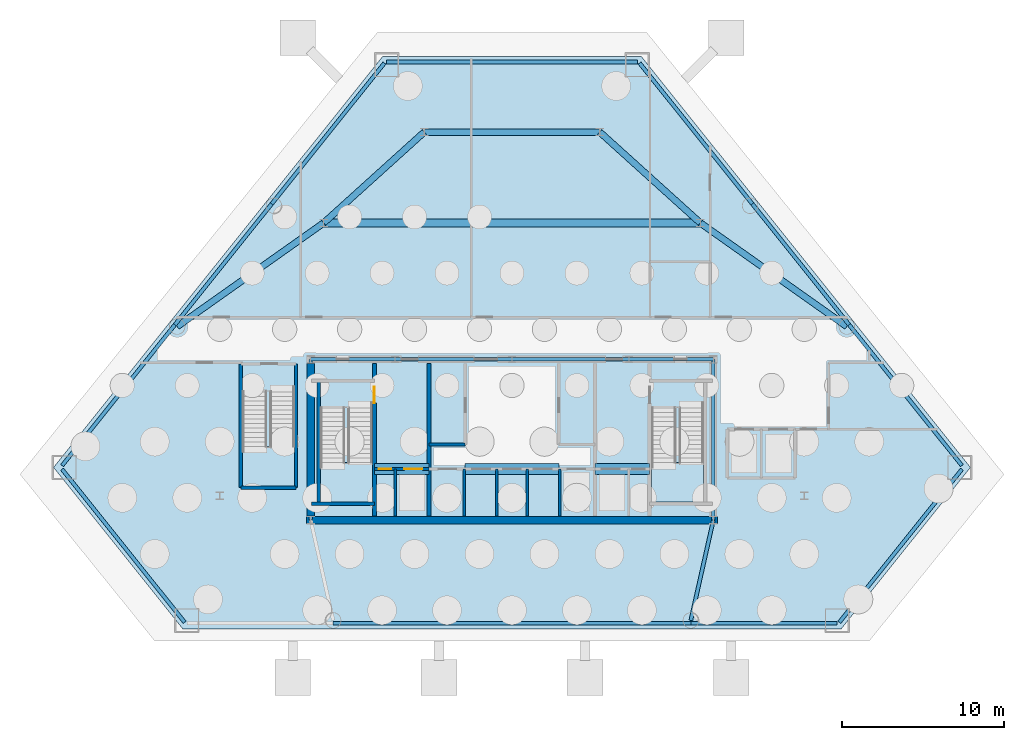
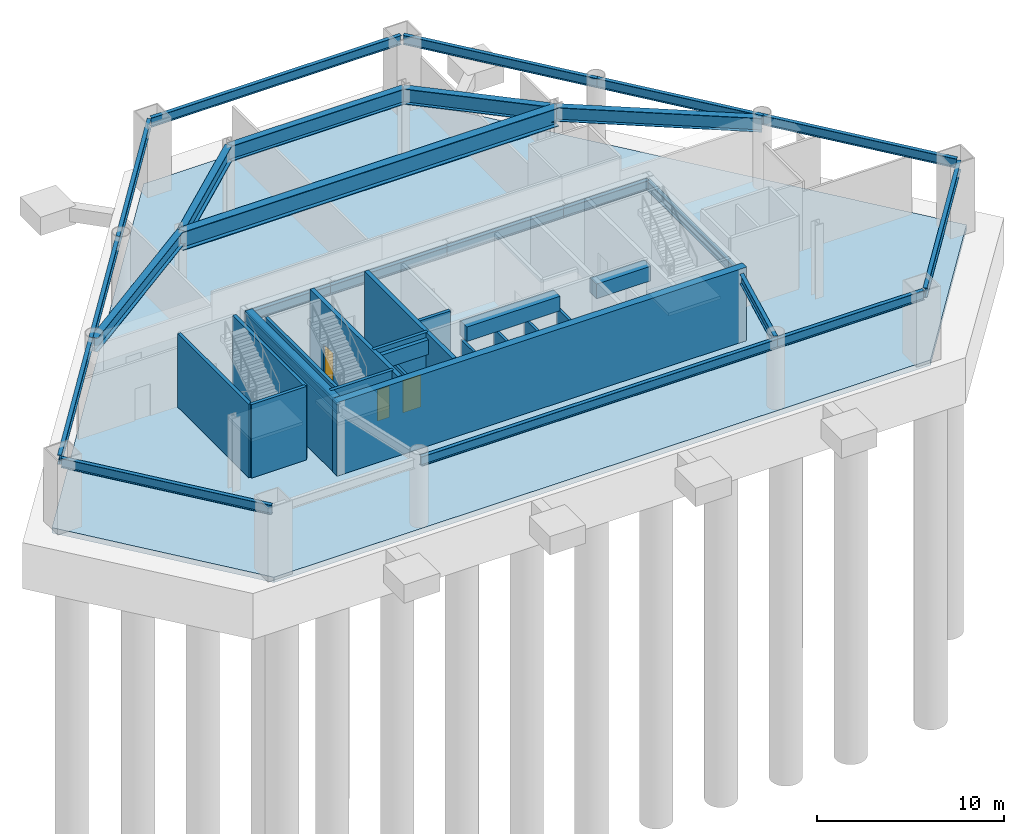
# One storey, part 3 of 8: 27 beams, 16 walls, 4 slabs, 3 doors, 3 openings, 3 elements without a shape of their own.
"""IFC4 building model written with IfcOpenShell, lengths in metres."""

from ifc_helpers import new_model, si_unit, direction, frame, frame_2d, origin, origin_2d, place, context, subcontext, project, spatial, polyline, rectangle, i_section, outline, extrude, material, layer, layer_set, material_profile, profile_set, type_object, element, fill, aggregate, save


model = new_model("IFC4")

# Units and contexts
model_context = context("Model", 3, precision=1e-05, world=origin(), true_north=direction((0.0, 1.0)))
body_context = subcontext(model_context, "Body", "Model", "MODEL_VIEW")
ifc_project = project(units=[si_unit("LENGTHUNIT", "METRE"), si_unit("AREAUNIT", "SQUARE_METRE"), si_unit("VOLUMEUNIT", "CUBIC_METRE"), si_unit("PLANEANGLEUNIT", "RADIAN"), si_unit("MASSUNIT", "GRAM", prefix="KILO")], contexts=[model_context])

# Site, building, storey
site_placement = place(None, origin())
site = spatial("IfcSite", under=ifc_project, at=site_placement, CompositionType="ELEMENT")
building_placement = place(site_placement, origin())
building = spatial("IfcBuilding", under=site, at=building_placement, Name="Talgorran Terracotta Tower", CompositionType="ELEMENT")
storey_placement = place(building_placement, frame((0.0, 0.0, -4.800048828125)))
storey = spatial("IfcBuildingStorey", under=building, at=storey_placement, Name="B1", CompositionType="ELEMENT", Elevation=-4.800048828125)

# Beams
ifc_material_1 = material(Name="Steel Grade 350 (350L0)", Category="steel")
ifc_material_profile_1 = material_profile(ifc_material_1, i_section(OverallWidth=0.39990234375, OverallDepth=1.0, WebThickness=0.01611328125, FlangeThickness=0.031005859375, at=origin_2d()), Name="1000WB296")
ifc_profile_set_1 = profile_set([ifc_material_profile_1], Name="Steel Grade 350 (350L0)")
beam_type_1 = type_object("IfcBeamType", Name="BM_1000WB296", PredefinedType="BEAM", material=ifc_profile_set_1)
for number, where, z_axis, x_axis, name in (
    (1, (-11.60009765625, 4.199951171875, 3.97998046875), (0.742107331558, 0.670281066754, 0.0), (-0.670281066754, 0.742107331558, 0.0), "B1 Podium Girder PG2"),
    (2, (11.60009765625, 4.199951171875, 3.97998046875), (-0.742107331558, 0.670281066754, 0.0), (-0.670281066754, -0.742107331558, 0.0), "B1 Podium Girder PG3"),
):
    element("IfcBeam", number, at=place(storey_placement, frame(where, z_axis=z_axis, x_axis=x_axis)), inside=storey, type_object=beam_type_1, Name=name, PredefinedType="BEAM", context=body_context, shape_type="SweptSolid", body=[
        extrude(i_section(OverallWidth=0.39990234375, OverallDepth=1.0, WebThickness=0.01611328125, FlangeThickness=0.031005859375, at=origin_2d()), origin(), (0.0, 0.0, 1.0), 8.354736328125),
    ])
beam_1_placement = place(storey_placement, frame((-5.39990234375, 9.800048828125, 3.97998046875), z_axis=(1.0, 0.0, 0.0), x_axis=(0.0, 1.0, 0.0)))
element("IfcBeam", 3, at=beam_1_placement, inside=storey, type_object=beam_type_1, Name="B1 Podium Girder PG4", PredefinedType="BEAM", context=body_context, shape_type="SweptSolid", body=[
    extrude(i_section(OverallWidth=0.39990234375, OverallDepth=1.0, WebThickness=0.01611328125, FlangeThickness=0.031005859375, at=origin_2d()), origin(), (0.0, 0.0, 1.0), 10.7998046875),
])
ifc_material_profile_2 = material_profile(ifc_material_1, i_section(OverallWidth=0.5, OverallDepth=1.199951171875, WebThickness=0.01611328125, FlangeThickness=0.035888671875, at=origin_2d()), Name="1200WB392")
ifc_profile_set_2 = profile_set([ifc_material_profile_2], Name="Steel Grade 350 (350L0)")
beam_type_2 = type_object("IfcBeamType", Name="BM_1200WB392", PredefinedType="BEAM", material=ifc_profile_set_2)
beam_2_placement = place(storey_placement, frame((-11.60009765625, 4.199951171875, 3.880126953125), z_axis=(1.0, 0.0, 0.0), x_axis=(0.0, 1.0, 0.0)))
element("IfcBeam", 4, at=beam_2_placement, inside=storey, type_object=beam_type_2, Name="B1 Podium Girder PG1", PredefinedType="BEAM", context=body_context, shape_type="SweptSolid", body=[
    extrude(i_section(OverallWidth=0.5, OverallDepth=1.199951171875, WebThickness=0.01611328125, FlangeThickness=0.035888671875, at=origin_2d()), origin(), (0.0, 0.0, 1.0), 23.2001953125),
])
ifc_material_profile_3 = material_profile(ifc_material_1, i_section(OverallWidth=0.39990234375, OverallDepth=0.907958984375, WebThickness=0.01611328125, FlangeThickness=0.02490234375, at=origin_2d()), Name="900WB257")
ifc_profile_set_3 = profile_set([ifc_material_profile_3], Name="Steel Grade 350 (350L0)")
beam_type_3 = type_object("IfcBeamType", Name="BM_900WB257", PredefinedType="BEAM", material=ifc_profile_set_3)
for number, where, z_axis, x_axis, name in (
    (5, (-20.620361328125, -2.1787109375, 4.026123046875), (0.816480686171, 0.577372747113, 0.0), (-0.577372747113, 0.816480686171, 0.0), "B1 Podium Girder PG7"),
    (6, (20.620361328125, -2.1787109375, 4.026123046875), (-0.816480686171, 0.577372747113, 0.0), (-0.577372747113, -0.816480686171, 0.0), "B1 Podium Girder PG8"),
):
    element("IfcBeam", number, at=place(storey_placement, frame(where, z_axis=z_axis, x_axis=x_axis)), inside=storey, type_object=beam_type_3, Name=name, PredefinedType="BEAM", context=body_context, shape_type="SweptSolid", body=[
        extrude(i_section(OverallWidth=0.39990234375, OverallDepth=0.907958984375, WebThickness=0.01611328125, FlangeThickness=0.02490234375, at=origin_2d()), origin(), (0.0, 0.0, 1.0), 11.0478515625),
    ])
ifc_material_2 = material(Name="Concrete C65/80", Category="concrete")
ifc_material_profile_4 = material_profile(ifc_material_2, rectangle(XDim=0.699951171875, YDim=0.949951171875, at=origin_2d()), Name="RCCB700X950")
ifc_profile_set_4 = profile_set([ifc_material_profile_4], Name="Concrete C65/80")
beam_type_4 = type_object("IfcBeamType", Name="BM_CB_700X950", PredefinedType="LINTEL", material=ifc_profile_set_4)
beam_3_placement = place(storey_placement, frame((-8.47998046875, -10.949951171875, 4.005126953125), z_axis=(1.0, 0.0, 0.0), x_axis=(0.0, 1.0, 0.0)))
element("IfcBeam", 7, at=beam_3_placement, inside=storey, type_object=beam_type_4, Name="B1 Core Shear-Wall Coupling Beam CB1", PredefinedType="LINTEL", context=body_context, shape_type="SweptSolid", body=[
    extrude(rectangle(XDim=0.699951171875, YDim=0.949951171875, at=origin_2d()), origin(), (0.0, 0.0, 1.0), 3.35986328125),
])
beam_4_placement = place(storey_placement, frame((-2.8798828125, -10.949951171875, 4.005126953125), z_axis=(1.0, 0.0, 0.0), x_axis=(0.0, 1.0, 0.0)))
element("IfcBeam", 8, at=beam_4_placement, inside=storey, type_object=beam_type_4, Name="B1 Core Shear-Wall Coupling Beam CB2", PredefinedType="LINTEL", context=body_context, shape_type="SweptSolid", body=[
    extrude(rectangle(XDim=0.699951171875, YDim=0.949951171875, at=origin_2d()), origin(), (0.0, 0.0, 1.0), 5.759765625),
])
beam_5_placement = place(storey_placement, frame((5.1201171875, -10.949951171875, 4.005126953125), z_axis=(1.0, 0.0, 0.0), x_axis=(0.0, 1.0, 0.0)))
element("IfcBeam", 9, at=beam_5_placement, inside=storey, type_object=beam_type_4, Name="B1 Core Shear-Wall Coupling Beam CB3", PredefinedType="LINTEL", context=body_context, shape_type="SweptSolid", body=[
    extrude(rectangle(XDim=0.699951171875, YDim=0.949951171875, at=origin_2d()), origin(), (0.0, 0.0, 1.0), 3.35986328125),
])
ifc_material_3 = material(Name="Steel S355 (300PLUS)", Category="steel")
ifc_material_profile_5 = material_profile(ifc_material_3, i_section(OverallWidth=0.22900390625, OverallDepth=0.611572265625, WebThickness=0.011962890625, FlangeThickness=0.01953125, at=origin_2d()), Name="610UB125")
ifc_profile_set_5 = profile_set([ifc_material_profile_5], Name="Steel S355 (300PLUS)")
beam_type_5 = type_object("IfcBeamType", Name="BM_SP_610UB125", PredefinedType="SPANDREL", material=ifc_profile_set_5)
beam_6_placement = place(storey_placement, frame((-27.710205078125, -10.968505859375, 4.17431640625), z_axis=(0.625116627788, -0.780531358539, 0.0), x_axis=(0.780531358539, 0.625116627788, 0.0)))
element("IfcBeam", 10, at=beam_6_placement, inside=storey, type_object=beam_type_5, Name="B1 Perimeter Spandrel Beam MC1-MC2", PredefinedType="SPANDREL", context=body_context, shape_type="SweptSolid", body=[
    extrude(i_section(OverallWidth=0.22900390625, OverallDepth=0.611572265625, WebThickness=0.011962890625, FlangeThickness=0.01953125, at=origin_2d()), origin(), (0.0, 0.0, 1.0), 12.073974609375),
])
beam_7_placement = place(storey_placement, frame((-11.01220703125, -20.4599609375, 4.17431640625), z_axis=(1.0, 0.0, 0.0), x_axis=(0.0, 1.0, 0.0)))
element("IfcBeam", 11, at=beam_7_placement, inside=storey, type_object=beam_type_5, Name="B1 Perimeter Spandrel Beam FC1-FC2", PredefinedType="SPANDREL", context=body_context, shape_type="SweptSolid", body=[
    extrude(i_section(OverallWidth=0.22900390625, OverallDepth=0.611572265625, WebThickness=0.011962890625, FlangeThickness=0.01953125, at=origin_2d()), origin(), (0.0, 0.0, 1.0), 22.0244140625),
])
beam_8_placement = place(storey_placement, frame((11.01220703125, -20.4599609375, 4.17431640625), z_axis=(1.0, 0.0, 0.0), x_axis=(0.0, 1.0, 0.0)))
element("IfcBeam", 12, at=beam_8_placement, inside=storey, type_object=beam_type_5, Name="B1 Perimeter Spandrel Beam FC2-MC3", PredefinedType="SPANDREL", context=body_context, shape_type="SweptSolid", body=[
    extrude(i_section(OverallWidth=0.22900390625, OverallDepth=0.611572265625, WebThickness=0.011962890625, FlangeThickness=0.01953125, at=origin_2d()), origin(), (0.0, 0.0, 1.0), 9.010009765625),
])
beam_9_placement = place(storey_placement, frame((20.16259765625, -20.392578125, 4.17431640625), z_axis=(0.625116627788, 0.780531358539, 0.0), x_axis=(-0.780531358539, 0.625116627788, 0.0)))
element("IfcBeam", 13, at=beam_9_placement, inside=storey, type_object=beam_type_5, Name="B1 Perimeter Spandrel Beam MC3-MC4", PredefinedType="SPANDREL", context=body_context, shape_type="SweptSolid", body=[
    extrude(i_section(OverallWidth=0.22900390625, OverallDepth=0.611572265625, WebThickness=0.011962890625, FlangeThickness=0.01953125, at=origin_2d()), origin(), (0.0, 0.0, 1.0), 12.073974609375),
])
beam_10_placement = place(storey_placement, frame((27.710205078125, -10.743408203125, 4.17431640625), z_axis=(-0.625126142132, 0.780523738539, 0.0), x_axis=(-0.780523738539, -0.625126142132, 0.0)))
element("IfcBeam", 14, at=beam_10_placement, inside=storey, type_object=beam_type_5, Name="B1 Perimeter Spandrel Beam MC4-FC3", PredefinedType="SPANDREL", context=body_context, shape_type="SweptSolid", body=[
    extrude(i_section(OverallWidth=0.22900390625, OverallDepth=0.611572265625, WebThickness=0.011962890625, FlangeThickness=0.01953125, at=origin_2d()), origin(), (0.0, 0.0, 1.0), 11.116943359375),
])
beam_11_placement = place(storey_placement, frame((20.7607421875, -2.06640625, 4.17431640625), z_axis=(-0.625101149619, 0.780543754536, 0.0), x_axis=(-0.780543754536, -0.625101149619, 0.0)))
element("IfcBeam", 15, at=beam_11_placement, inside=storey, type_object=beam_type_5, Name="B1 Perimeter Spandrel Beam FC3-FC4", PredefinedType="SPANDREL", context=body_context, shape_type="SweptSolid", body=[
    extrude(i_section(OverallWidth=0.22900390625, OverallDepth=0.611572265625, WebThickness=0.011962890625, FlangeThickness=0.01953125, at=origin_2d()), origin(), (0.0, 0.0, 1.0), 9.52880859375),
])
beam_12_placement = place(storey_placement, frame((14.80419921875, 5.371337890625, 4.17431640625), z_axis=(-0.625115426811, 0.780532320383, 0.0), x_axis=(-0.780532320383, -0.625115426811, 0.0)))
element("IfcBeam", 16, at=beam_12_placement, inside=storey, type_object=beam_type_5, Name="B1 Perimeter Spandrel Beam FC4-MC5", PredefinedType="SPANDREL", context=body_context, shape_type="SweptSolid", body=[
    extrude(i_section(OverallWidth=0.22900390625, OverallDepth=0.611572265625, WebThickness=0.011962890625, FlangeThickness=0.01953125, at=origin_2d()), origin(), (0.0, 0.0, 1.0), 11.1171875),
])
beam_13_placement = place(storey_placement, frame((7.714111328125, 14.115966796875, 4.17431640625), z_axis=(-1.0, 0.0, 0.0), x_axis=(0.0, -1.0, 0.0)))
element("IfcBeam", 17, at=beam_13_placement, inside=storey, type_object=beam_type_5, Name="B1 Perimeter Spandrel Beam MC5-MC6", PredefinedType="SPANDREL", context=body_context, shape_type="SweptSolid", body=[
    extrude(i_section(OverallWidth=0.22900390625, OverallDepth=0.611572265625, WebThickness=0.011962890625, FlangeThickness=0.01953125, at=origin_2d()), origin(), (0.0, 0.0, 1.0), 15.42822265625),
])
beam_14_placement = place(storey_placement, frame((-7.854736328125, 14.048583984375, 4.17431640625), z_axis=(-0.625115426811, -0.780532320383, 0.0), x_axis=(0.780532320383, -0.625115426811, 0.0)))
element("IfcBeam", 18, at=beam_14_placement, inside=storey, type_object=beam_type_5, Name="B1 Perimeter Spandrel Beam MC6-FC5", PredefinedType="SPANDREL", context=body_context, shape_type="SweptSolid", body=[
    extrude(i_section(OverallWidth=0.22900390625, OverallDepth=0.611572265625, WebThickness=0.011962890625, FlangeThickness=0.01953125, at=origin_2d()), origin(), (0.0, 0.0, 1.0), 11.1171875),
])
beam_15_placement = place(storey_placement, frame((-14.80419921875, 5.371337890625, 4.17431640625), z_axis=(-0.625101149619, -0.780543754536, 0.0), x_axis=(0.780543754536, -0.625101149619, 0.0)))
element("IfcBeam", 19, at=beam_15_placement, inside=storey, type_object=beam_type_5, Name="B1 Perimeter Spandrel Beam FC5-FC6", PredefinedType="SPANDREL", context=body_context, shape_type="SweptSolid", body=[
    extrude(i_section(OverallWidth=0.22900390625, OverallDepth=0.611572265625, WebThickness=0.011962890625, FlangeThickness=0.01953125, at=origin_2d()), origin(), (0.0, 0.0, 1.0), 9.52880859375),
])
beam_16_placement = place(storey_placement, frame((-20.7607421875, -2.06640625, 4.17431640625), z_axis=(-0.625126142132, -0.780523738539, 0.0), x_axis=(0.780523738539, -0.625126142132, 0.0)))
element("IfcBeam", 20, at=beam_16_placement, inside=storey, type_object=beam_type_5, Name="B1 Perimeter Spandrel Beam FC6-MC1", PredefinedType="SPANDREL", context=body_context, shape_type="SweptSolid", body=[
    extrude(i_section(OverallWidth=0.22900390625, OverallDepth=0.611572265625, WebThickness=0.011962890625, FlangeThickness=0.01953125, at=origin_2d()), origin(), (0.0, 0.0, 1.0), 11.116943359375),
])
beam_17_placement = place(storey_placement, frame((12.39990234375, -14.10009765625, 4.17431640625), z_axis=(-0.219093011867, -0.975703977726, 0.0), x_axis=(0.975703977726, -0.219093011867, 0.0)))
element("IfcBeam", 21, at=beam_17_placement, inside=storey, type_object=beam_type_5, Name="B1 South-East Core Tie Beam", PredefinedType="SPANDREL", context=body_context, shape_type="SweptSolid", body=[
    extrude(i_section(OverallWidth=0.22900390625, OverallDepth=0.611572265625, WebThickness=0.011962890625, FlangeThickness=0.01953125, at=origin_2d()), origin(), (0.0, 0.0, 1.0), 6.333740234375),
])
for number, where, z_axis, x_axis, name in (
    (22, (-12.39990234375, -14.10009765625, 4.17431640625), (0.0, 1.0, 0.0), (-1.0, 0.0, 0.0), "B1 Core Frame Beam CFW"),
    (23, (12.39990234375, -14.10009765625, 4.17431640625), (0.0, 1.0, 0.0), (-1.0, 0.0, 0.0), "B1 Core Frame Beam CFE"),
):
    element("IfcBeam", number, at=place(storey_placement, frame(where, z_axis=z_axis, x_axis=x_axis)), inside=storey, type_object=beam_type_5, Name=name, PredefinedType="SPANDREL", context=body_context, shape_type="SweptSolid", body=[
        extrude(i_section(OverallWidth=0.22900390625, OverallDepth=0.611572265625, WebThickness=0.011962890625, FlangeThickness=0.01953125, at=origin_2d()), origin(), (0.0, 0.0, 1.0), 9.900146484375),
    ])
beam_18_placement = place(storey_placement, frame((-12.39990234375, -4.199951171875, 4.17431640625), z_axis=(1.0, 0.0, 0.0), x_axis=(0.0, 1.0, 0.0)))
element("IfcBeam", 24, at=beam_18_placement, inside=storey, type_object=beam_type_5, Name="B1 Core Frame Beam CFN1", PredefinedType="SPANDREL", context=body_context, shape_type="SweptSolid", body=[
    extrude(i_section(OverallWidth=0.22900390625, OverallDepth=0.611572265625, WebThickness=0.011962890625, FlangeThickness=0.01953125, at=origin_2d()), origin(), (0.0, 0.0, 1.0), 5.199951171875),
])
for number, where, z_axis, x_axis, name in (
    (25, (-7.199951171875, -4.199951171875, 4.17431640625), (1.0, 0.0, 0.0), (0.0, 1.0, 0.0), "B1 Core Frame Beam CFN2"),
    (26, (0.0, -4.199951171875, 4.17431640625), (1.0, 0.0, 0.0), (0.0, 1.0, 0.0), "B1 Core Frame Beam CFN3"),
):
    element("IfcBeam", number, at=place(storey_placement, frame(where, z_axis=z_axis, x_axis=x_axis)), inside=storey, type_object=beam_type_5, Name=name, PredefinedType="SPANDREL", context=body_context, shape_type="SweptSolid", body=[
        extrude(i_section(OverallWidth=0.22900390625, OverallDepth=0.611572265625, WebThickness=0.011962890625, FlangeThickness=0.01953125, at=origin_2d()), origin(), (0.0, 0.0, 1.0), 7.199951171875),
    ])
beam_19_placement = place(storey_placement, frame((7.199951171875, -4.199951171875, 4.17431640625), z_axis=(1.0, 0.0, 0.0), x_axis=(0.0, 1.0, 0.0)))
element("IfcBeam", 27, at=beam_19_placement, inside=storey, type_object=beam_type_5, Name="B1 Core Frame Beam CFN4", PredefinedType="SPANDREL", context=body_context, shape_type="SweptSolid", body=[
    extrude(i_section(OverallWidth=0.22900390625, OverallDepth=0.611572265625, WebThickness=0.011962890625, FlangeThickness=0.01953125, at=origin_2d()), origin(), (0.0, 0.0, 1.0), 5.199951171875),
])

# Slab
ifc_material_4 = material(Name="Concrete C50/60", Category="concrete")
ifc_layer_1 = layer(ifc_material_4, 0.35009765625, Name="SL_B1_350")
ifc_layer_set_1 = layer_set([ifc_layer_1], Name="Concrete C50/60")
slab_type_1 = type_object("IfcSlabType", Name="SL_B1_350", PredefinedType="BASESLAB", material=ifc_layer_set_1)
slab_1_placement = place(storey_placement, frame((0.0, 0.0, -0.349853515625)))
element("IfcSlab", 28, at=slab_1_placement, inside=storey, type_object=slab_type_1, Name="Storey B1 Structural Floor Slab", PredefinedType="BASESLAB", context=body_context, shape_type="SweptSolid", body=[
    extrude(outline(polyline([(-28.236083984375, -10.85595703125), (-20.27197265625, -20.800048828125), (20.27197265625, -20.800048828125), (28.236083984375, -10.85595703125), (7.964111328125, 14.4560546875), (-7.964111328125, 14.4560546875), (-28.236083984375, -10.85595703125)])), origin(), (0.0, 0.0, 1.0), 0.349853515625),
])

# Stair, slab
ifc_material_5 = material(Name="Concrete C40/50", Category="concrete")
stair_type_1 = type_object("IfcStairType", Name="ST_FIRE_SCISSOR", PredefinedType="HALF_TURN_STAIR", material=ifc_material_5)
stair_1_placement = place(storey_placement, origin())
stair_1 = element("IfcStair", 29, at=stair_1_placement, inside=storey, type_object=stair_type_1, Name="B1 West Protected Fire Stair ST-01", PredefinedType="HALF_TURN_STAIR")
ifc_layer_2 = layer(ifc_material_5, 0.199951171875, Name="SL_LANDING_200")
ifc_layer_set_2 = layer_set([ifc_layer_2], Name="Concrete C40/50")
slab_type_2 = type_object("IfcSlabType", Name="SL_LANDING_200", PredefinedType="LANDING", material=ifc_layer_set_2)
slab_2_placement = place(storey_placement, frame((0.0, 0.0, 2.199951171875)))
slab_2 = element("IfcSlab", 30, at=slab_2_placement, type_object=slab_type_2, Name="ST-01 landing 1", PredefinedType="LANDING", context=body_context, shape_type="SweptSolid", body=[
    extrude(outline(polyline([(-11.800048828125, -10.56005859375), (-11.800048828125, -13.0), (-8.60009765625, -13.0), (-8.60009765625, -10.56005859375), (-11.800048828125, -10.56005859375)])), origin(), (0.0, 0.0, 1.0), 0.2001953125),
])
aggregate(stair_1, [slab_2])

stair_2_placement = place(storey_placement, origin())
stair_2 = element("IfcStair", 31, at=stair_2_placement, inside=storey, type_object=stair_type_1, Name="B1 East Protected Fire Stair ST-02", PredefinedType="HALF_TURN_STAIR")
slab_3_placement = place(storey_placement, frame((0.0, 0.0, 2.199951171875)))
slab_3 = element("IfcSlab", 32, at=slab_3_placement, type_object=slab_type_2, Name="ST-02 landing 1", PredefinedType="LANDING", context=body_context, shape_type="SweptSolid", body=[
    extrude(outline(polyline([(8.60009765625, -10.56005859375), (8.60009765625, -13.0), (11.800048828125, -13.0), (11.800048828125, -10.56005859375), (8.60009765625, -10.56005859375)])), origin(), (0.0, 0.0, 1.0), 0.2001953125),
])
aggregate(stair_2, [slab_3])

stair_type_2 = type_object("IfcStairType", Name="ST_PODIUM_DOGLEG", PredefinedType="HALF_TURN_STAIR", material=ifc_material_5)
stair_3_placement = place(storey_placement, origin())
stair_3 = element("IfcStair", 33, at=stair_3_placement, inside=storey, type_object=stair_type_2, Name="B1 Podium Health Fire Stair ST-03", PredefinedType="HALF_TURN_STAIR")
slab_4_placement = place(storey_placement, frame((0.0, 0.0, 2.199951171875)))
slab_4 = element("IfcSlab", 34, at=slab_4_placement, type_object=slab_type_2, Name="ST-03 landing 1", PredefinedType="LANDING", context=body_context, shape_type="SweptSolid", body=[
    extrude(outline(polyline([(-16.60009765625, -9.56005859375), (-16.60009765625, -12.0), (-13.39990234375, -12.0), (-13.39990234375, -9.56005859375), (-16.60009765625, -9.56005859375)])), origin(), (0.0, 0.0, 1.0), 0.2001953125),
])
aggregate(stair_3, [slab_4])

# Walls
ifc_layer_3 = layer(ifc_material_4, 0.199951171875, Name="WT_CORE_200")
ifc_layer_set_3 = layer_set([ifc_layer_3], Name="Concrete C50/60")
wall_type_1 = type_object("IfcWallType", Name="WT_CORE_200", PredefinedType="SOLIDWALL", material=ifc_layer_set_3)
wall_1_placement = place(storey_placement, frame((-12.35009765625, -13.10009765625, 0.0), z_axis=(0.0, 0.0, 1.0), x_axis=(1.0, 0.0, 0.0)))
element("IfcWall", 35, at=wall_1_placement, inside=storey, type_object=wall_type_1, Name="WL-B1-CW-ST1-S", PredefinedType="SOLIDWALL", context=body_context, shape_type="SweptSolid", body=[
    extrude(rectangle(XDim=3.8701171875, YDim=0.199951171875, at=frame_2d((1.93505859375, 0.0))), origin(), (0.0, 0.0, 1.0), 4.800048828125),
])
wall_2_placement = place(storey_placement, frame((-11.89990234375, -13.10009765625, 0.0), z_axis=(0.0, 0.0, 1.0), x_axis=(0.0, 1.0, 0.0)))
element("IfcWall", 36, at=wall_2_placement, inside=storey, type_object=wall_type_1, Name="WL-B1-CW-ST1-W", PredefinedType="SOLIDWALL", context=body_context, shape_type="SweptSolid", body=[
    extrude(rectangle(XDim=7.580078125, YDim=0.199951171875, at=frame_2d((3.7900390625, 0.0))), origin(), (0.0, 0.0, 1.0), 4.800048828125),
])

# Wall, openings, doors
wall_3_placement = place(storey_placement, frame((-8.47998046875, -10.949951171875, 0.0), z_axis=(0.0, 0.0, 1.0), x_axis=(1.0, 0.0, 0.0)))
wall_3 = element("IfcWall", 37, at=wall_3_placement, inside=storey, type_object=wall_type_1, Name="WL-B1-CW-H-SBW", PredefinedType="SOLIDWALL", context=body_context, shape_type="SweptSolid", body=[
    extrude(rectangle(XDim=3.35986328125, YDim=0.199951171875, at=frame_2d((1.679931640625, 0.0))), origin(), (0.0, 0.0, 1.0), 4.800048828125),
])
opening_1_placement = place(wall_3_placement, frame((0.280029296875, 0.0, 0.0)))
opening_1 = element("IfcOpeningElement", 38, at=opening_1_placement, cuts=wall_3, Name="Opening DR-RSW", PredefinedType="OPENING", context=body_context, shape_type="SweptSolid", body=[
    extrude(rectangle(XDim=0.756, YDim=2.054048828125, at=frame_2d((0.375, 1.027099609375))), frame((0.0, 0.10986328125, 0.0), z_axis=(0.0, -1.0, 0.0), x_axis=(1.0, 0.0, 0.0)), (0.0, 0.0, 1.0), 0.219970703125),
])
opening_2_placement = place(wall_3_placement, frame((1.85009765625, 0.0, 0.0)))
opening_2 = element("IfcOpeningElement", 39, at=opening_2_placement, cuts=wall_3, Name="Opening LD-FFL1", PredefinedType="OPENING", context=body_context, shape_type="SweptSolid", body=[
    extrude(rectangle(XDim=1.10609765625, YDim=2.10409765625, at=frame_2d((0.550048828125, 1.052001953125))), frame((0.0, 0.10986328125, 0.0), z_axis=(0.0, -1.0, 0.0), x_axis=(1.0, 0.0, 0.0)), (0.0, 0.0, 1.0), 0.219970703125),
])
ifc_material_6 = material(Name="Brushed Stainless Steel Grade 304", Category="steel")
door_type_1 = type_object("IfcDoorType", Name="DT_LIFT_LD1100", OperationType="DOUBLE_DOOR_SLIDING", PredefinedType="DOOR", material=ifc_material_6)
door_1_placement = place(opening_2_placement, origin())
door_1 = element("IfcDoor", 40, at=door_1_placement, inside=storey, type_object=door_type_1, Name="B1 Lift Landing Door LD-FFL1", OperationType="DOUBLE_DOOR_SLIDING", OverallHeight=2.10009765625, OverallWidth=1.10009765625, PredefinedType="DOOR", context=body_context, shape_type="SweptSolid", body=[
    extrude(rectangle(XDim=1.10009765625, YDim=2.10009765625, at=frame_2d((0.550048828125, 1.050048828125))), frame((0.0, 0.02490234375, 0.0), z_axis=(0.0, -1.0, 0.0), x_axis=(1.0, 0.0, 0.0)), (0.0, 0.0, 1.0), 0.050048828125),
])
fill(opening_2, door_1)
ifc_material_7 = material(Name="Fire-Rated Pressed Steel", Category="steel")
door_type_2 = type_object("IfcDoorType", Name="DT_RISER_750", OperationType="NOTDEFINED", PredefinedType="DOOR", material=ifc_material_7)
door_2_placement = place(opening_1_placement, origin())
door_2 = element("IfcDoor", 41, at=door_2_placement, inside=storey, type_object=door_type_2, Name="DR-RSW", OperationType="SINGLE_SWING_LEFT", OverallHeight=2.050048828125, OverallWidth=0.75, PredefinedType="DOOR", context=body_context, shape_type="SweptSolid", body=[
    extrude(rectangle(XDim=0.75, YDim=2.050048828125, at=frame_2d((0.375, 1.02490234375))), frame((0.0, 0.02490234375, 0.0), z_axis=(0.0, -1.0, 0.0), x_axis=(1.0, 0.0, 0.0)), (0.0, 0.0, 1.0), 0.050048828125),
])
fill(opening_1, door_2)

# Walls
wall_4_placement = place(storey_placement, frame((-5.1201171875, -9.449951171875, 0.0), z_axis=(0.0, 0.0, 1.0), x_axis=(1.0, 0.0, 0.0)))
element("IfcWall", 42, at=wall_4_placement, inside=storey, type_object=wall_type_1, Name="WL-B1-CW-H-W4", PredefinedType="SOLIDWALL", context=body_context, shape_type="SweptSolid", body=[
    extrude(rectangle(XDim=2.240234375, YDim=0.199951171875, at=frame_2d((1.1201171875, 0.0))), origin(), (0.0, 0.0, 1.0), 4.47998046875),
])
for number, where, z_axis, x_axis, name in (
    (43, (-16.699951171875, -12.10009765625, 0.0), (0.0, 0.0, 1.0), (0.0, 1.0, 0.0), "WL-B1-PW-ST3-W"),
    (44, (-13.300048828125, -12.10009765625, 0.0), (0.0, 0.0, 1.0), (0.0, 1.0, 0.0), "WL-B1-PW-ST3-E"),
):
    element("IfcWall", number, at=place(storey_placement, frame(where, z_axis=z_axis, x_axis=x_axis)), inside=storey, type_object=wall_type_1, Name=name, PredefinedType="SOLIDWALL", context=body_context, shape_type="SweptSolid", body=[
        extrude(rectangle(XDim=7.6201171875, YDim=0.199951171875, at=frame_2d((3.81005859375, 0.0))), origin(), (0.0, 0.0, 1.0), 4.800048828125),
    ])
wall_5_placement = place(storey_placement, frame((-16.699951171875, -12.10009765625, 0.0), z_axis=(0.0, 0.0, 1.0), x_axis=(1.0, 0.0, 0.0)))
element("IfcWall", 45, at=wall_5_placement, inside=storey, type_object=wall_type_1, Name="WL-B1-PW-ST3-S", PredefinedType="SOLIDWALL", context=body_context, shape_type="SweptSolid", body=[
    extrude(rectangle(XDim=3.39990234375, YDim=0.199951171875, at=frame_2d((1.699951171875, 0.0))), origin(), (0.0, 0.0, 1.0), 4.800048828125),
])

# Wall, opening, door
ifc_layer_4 = layer(ifc_material_4, 0.25, Name="WT_CORE_250")
ifc_layer_set_4 = layer_set([ifc_layer_4], Name="Concrete C50/60")
wall_type_2 = type_object("IfcWallType", Name="WT_CORE_250", PredefinedType="SHEAR", material=ifc_layer_set_4)
wall_6_placement = place(storey_placement, frame((-8.47998046875, -13.85009765625, 0.0), z_axis=(0.0, 0.0, 1.0), x_axis=(0.0, 1.0, 0.0)))
wall_6 = element("IfcWall", 46, at=wall_6_placement, inside=storey, type_object=wall_type_2, Name="WL-B1-CW-V-W1", PredefinedType="SHEAR", context=body_context, shape_type="SweptSolid", body=[
    extrude(rectangle(XDim=9.400146484375, YDim=0.25, at=frame_2d((4.7001953125, 0.0))), origin(), (0.0, 0.0, 1.0), 4.800048828125),
])
opening_3_placement = place(wall_6_placement, frame((6.949951171875, 0.0, 0.0)))
opening_3 = element("IfcOpeningElement", 47, at=opening_3_placement, cuts=wall_6, Name="Opening DR-ST01", PredefinedType="OPENING", context=body_context, shape_type="SweptSolid", body=[
    extrude(rectangle(XDim=1.006, YDim=2.10409765625, at=frame_2d((0.5, 1.052001953125))), frame((0.0, 0.135009765625, 0.0), z_axis=(0.0, -1.0, 0.0), x_axis=(1.0, 0.0, 0.0)), (0.0, 0.0, 1.0), 0.27001953125),
])
door_type_3 = type_object("IfcDoorType", Name="DT_FIRE_1000", OperationType="NOTDEFINED", PredefinedType="DOOR", material=ifc_material_7)
door_3_placement = place(opening_3_placement, origin())
door_3 = element("IfcDoor", 48, at=door_3_placement, inside=storey, type_object=door_type_3, Name="DR-ST01", OperationType="SINGLE_SWING_LEFT", OverallHeight=2.10009765625, OverallWidth=1.0, PredefinedType="DOOR", context=body_context, shape_type="SweptSolid", body=[
    extrude(rectangle(XDim=1.0, YDim=2.10009765625, at=frame_2d((0.5, 1.050048828125))), frame((0.0, 0.02490234375, 0.0), z_axis=(0.0, -1.0, 0.0), x_axis=(1.0, 0.0, 0.0)), (0.0, 0.0, 1.0), 0.050048828125),
])
fill(opening_3, door_3)

# Walls
wall_7_placement = place(storey_placement, frame((-5.1201171875, -13.85009765625, 0.0), z_axis=(0.0, 0.0, 1.0), x_axis=(0.0, 1.0, 0.0)))
element("IfcWall", 49, at=wall_7_placement, inside=storey, type_object=wall_type_2, Name="WL-B1-CW-V-W2", PredefinedType="SHEAR", context=body_context, shape_type="SweptSolid", body=[
    extrude(rectangle(XDim=9.400146484375, YDim=0.25, at=frame_2d((4.7001953125, 0.0))), origin(), (0.0, 0.0, 1.0), 4.800048828125),
])
ifc_layer_5 = layer(ifc_material_2, 0.449951171875, Name="WT_CORE_EXT")
ifc_layer_set_5 = layer_set([ifc_layer_5], Name="Concrete C65/80")
wall_type_3 = type_object("IfcWallType", Name="WT_CORE_EXT", PredefinedType="SHEAR", material=ifc_layer_set_5)
wall_8_placement = place(storey_placement, frame((-12.64990234375, -14.10009765625, 0.0), z_axis=(0.0, 0.0, 1.0), x_axis=(1.0, 0.0, 0.0)))
element("IfcWall", 50, at=wall_8_placement, inside=storey, type_object=wall_type_3, Name="WL-B1-CW-OUT-S", PredefinedType="SHEAR", context=body_context, shape_type="SweptSolid", body=[
    extrude(rectangle(XDim=25.2998046875, YDim=0.449951171875, at=frame_2d((12.64990234375, 0.0))), origin(), (0.0, 0.0, 1.0), 4.800048828125),
])
wall_9_placement = place(storey_placement, frame((-12.39990234375, -13.85009765625, 0.0), z_axis=(0.0, 0.0, 1.0), x_axis=(0.0, 1.0, 0.0)))
element("IfcWall", 51, at=wall_9_placement, inside=storey, type_object=wall_type_3, Name="WL-B1-CW-OUT-W", PredefinedType="SHEAR", context=body_context, shape_type="SweptSolid", body=[
    extrude(rectangle(XDim=9.400146484375, YDim=0.449951171875, at=frame_2d((4.7001953125, 0.0))), origin(), (0.0, 0.0, 1.0), 4.800048828125),
])
ifc_material_8 = material(Name="Fire-Rated Shaftwall")
ifc_layer_6 = layer(ifc_material_8, 0.159912109375, Name="WT_PART_150")
ifc_layer_set_6 = layer_set([ifc_layer_6], Name="Fire-Rated Shaftwall")
wall_type_4 = type_object("IfcWallType", Name="WT_PART_150", PredefinedType="PARTITIONING", material=ifc_layer_set_6)
for number, where, z_axis, x_axis, name in (
    (52, (-7.179931640625, -13.85009765625, 0.0), (0.0, 0.0, 1.0), (0.0, 1.0, 0.0), "WL-B1-CW-RSW"),
    (53, (-2.949951171875, -13.85009765625, 0.0), (0.0, 0.0, 1.0), (0.0, 1.0, 0.0), "WL-B1-CW-OB-E"),
    (54, (2.949951171875, -13.85009765625, 0.0), (0.0, 0.0, 1.0), (0.0, 1.0, 0.0), "WL-B1-CW-SV-W"),
    (55, (-0.949951171875, -13.85009765625, 0.0), (0.0, 0.0, 1.0), (0.0, 1.0, 0.0), "WL-B1-CW-PLH-D1"),
    (56, (0.949951171875, -13.85009765625, 0.0), (0.0, 0.0, 1.0), (0.0, 1.0, 0.0), "WL-B1-CW-PLH-D2"),
):
    element("IfcWall", number, at=place(storey_placement, frame(where, z_axis=z_axis, x_axis=x_axis)), inside=storey, type_object=wall_type_4, Name=name, PredefinedType="PARTITIONING", context=body_context, shape_type="SweptSolid", body=[
        extrude(rectangle(XDim=2.900146484375, YDim=0.159912109375, at=frame_2d((1.4501953125, 0.0))), origin(), (0.0, 0.0, 1.0), 3.505126953125),
    ])

save(model, "model.ifc")
